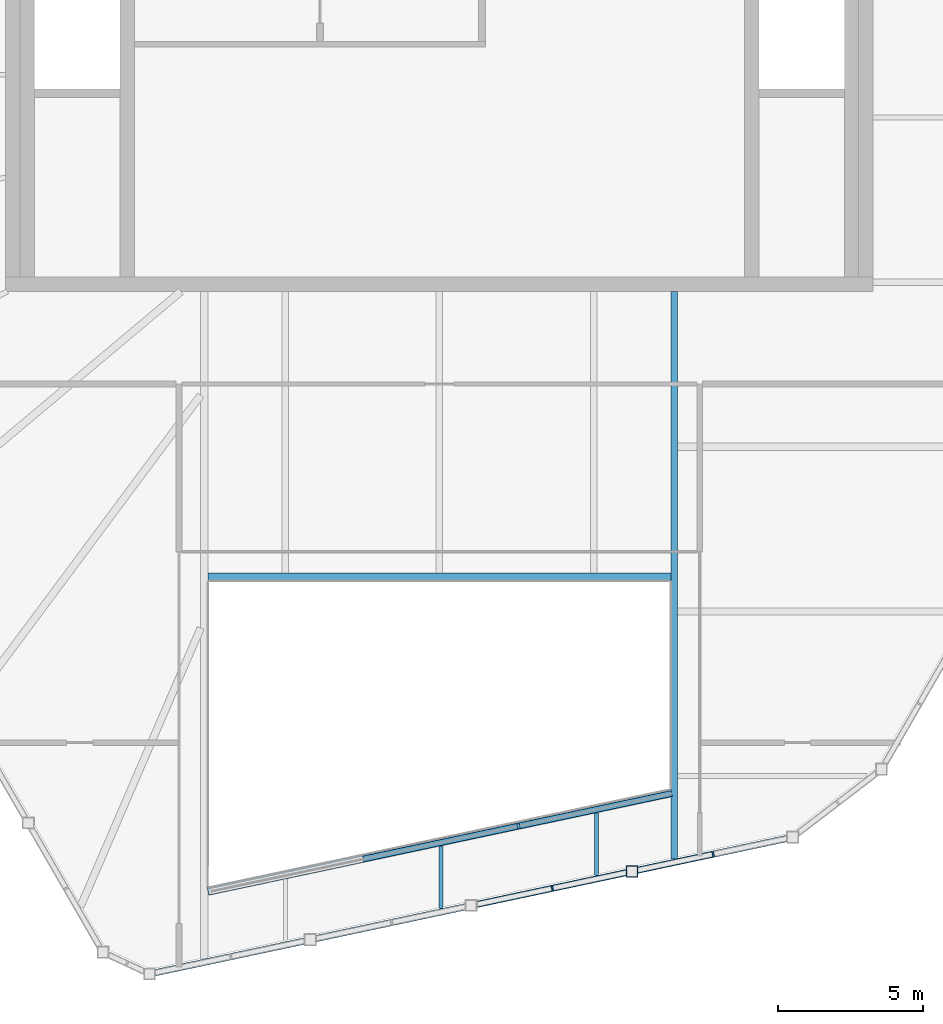
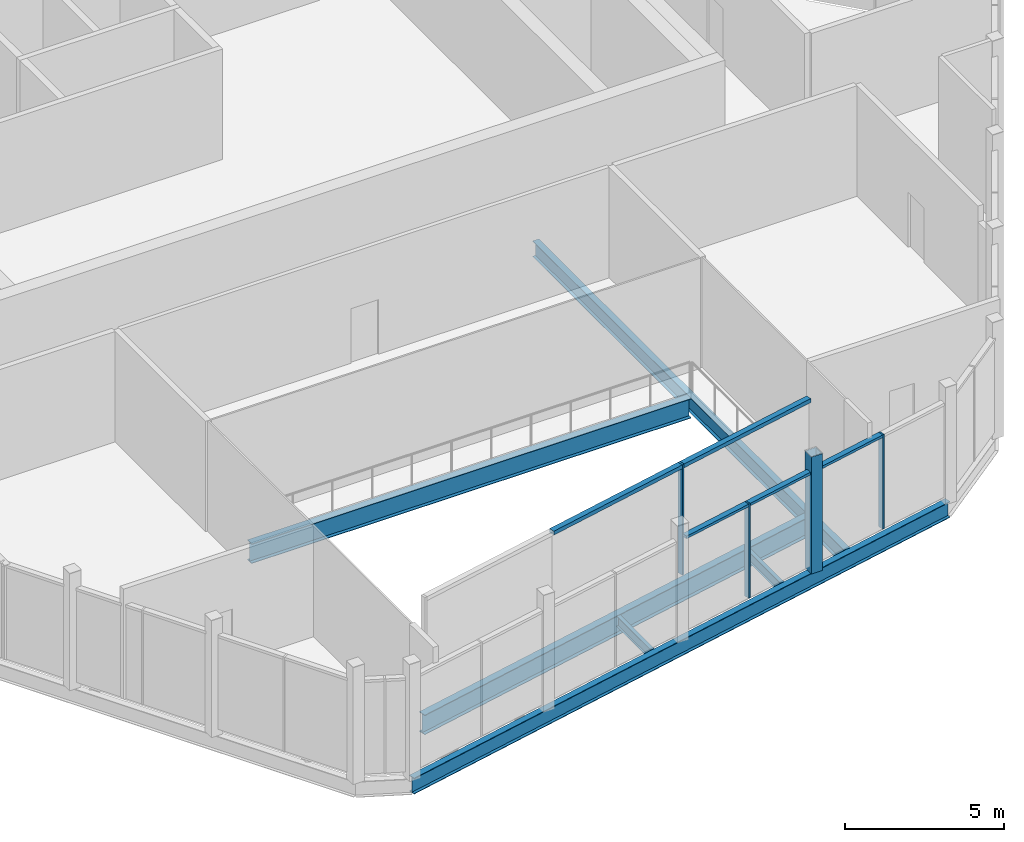
# One storey, part 2 of 10: 9 members, 6 beams, 2 elements without a shape of their own.
"""IFC4 building model written with IfcOpenShell, lengths in metres."""

from ifc_helpers import new_model, si_unit, direction, frame, origin, origin_2d, place, context, subcontext, project, spatial, rectangle, hollow_rectangle, i_section, extrude, material, layer, layer_set, material_profile, profile_set, type_object, element, aggregate, save


model = new_model("IFC4")

# Units and contexts
model_context = context("Model", 3, precision=1e-05, world=origin(), true_north=direction((0.0, 1.0)))
body_context = subcontext(model_context, "Body", "Model", "MODEL_VIEW")
ifc_project = project(units=[si_unit("LENGTHUNIT", "METRE"), si_unit("AREAUNIT", "SQUARE_METRE"), si_unit("VOLUMEUNIT", "CUBIC_METRE"), si_unit("PLANEANGLEUNIT", "RADIAN"), si_unit("MASSUNIT", "GRAM", prefix="KILO")], contexts=[model_context])

# Site, building, storey
site_placement = place(None, origin())
site = spatial("IfcSite", under=ifc_project, at=site_placement, CompositionType="ELEMENT")
building_placement = place(site_placement, origin())
building = spatial("IfcBuilding", under=site, at=building_placement, Name="Isthmus Gate Tower", CompositionType="ELEMENT")
storey_placement = place(building_placement, frame((0.0, 0.0, 311.10009765625)))
storey = spatial("IfcBuildingStorey", under=building, at=storey_placement, Name="C3", CompositionType="ELEMENT", Elevation=311.10009765625)

# Member
ifc_material_1 = material(Name="Structural steel ASTM A500 Gr C", Category="steel")
ifc_material_profile_1 = material_profile(ifc_material_1, hollow_rectangle(XDim=0.406494140625, YDim=0.406494140625, WallThickness=0.017578125, at=origin_2d()), Name="HSS16X16X3/4")
ifc_profile_set_1 = profile_set([ifc_material_profile_1], Name="Structural steel ASTM A500 Gr C")
member_type_1 = type_object("IfcMemberType", Name="CROWN POST HSS16X16X3/4", PredefinedType="POST", material=ifc_profile_set_1)
member_1_placement = place(storey_placement, frame((6.65625, -20.0517578125, -0.25), z_axis=(0.0, 0.0, 1.0), x_axis=(1.0, 0.0, 0.0)))
element("IfcMember", 1, at=member_1_placement, inside=storey, type_object=member_type_1, Name="str-crownpost-C3-19", PredefinedType="POST", context=body_context, shape_type="SweptSolid", body=[
    extrude(hollow_rectangle(XDim=0.406494140625, YDim=0.406494140625, WallThickness=0.017578125, at=origin_2d()), origin(), (0.0, 0.0, 1.0), 4.5),
])

# Beam
ifc_material_2 = material(Name="Structural steel ASTM A992 Gr 50", Category="steel")
ifc_material_profile_2 = material_profile(ifc_material_2, i_section(OverallWidth=0.231689453125, OverallDepth=0.615966796875, WebThickness=0.0126953125, FlangeThickness=0.022216796875, at=origin_2d()), Name="W24X94")
ifc_profile_set_2 = profile_set([ifc_material_profile_2], Name="Structural steel ASTM A992 Gr 50")
beam_type_1 = type_object("IfcBeamType", Name="CROWN RING BEAM W24X94", PredefinedType="BEAM", material=ifc_profile_set_2)
beam_1_placement = place(storey_placement, frame((-10.020263671875, -23.596435546875, -0.55810546875), z_axis=(0.978147166982, 0.207913731451, 0.0), x_axis=(-0.207913731451, 0.978147166982, 0.0)))
element("IfcBeam", 2, at=beam_1_placement, inside=storey, type_object=beam_type_1, Name="str-crownring-C3-06", PredefinedType="BEAM", context=body_context, shape_type="SweptSolid", body=[
    extrude(i_section(OverallWidth=0.231689453125, OverallDepth=0.615966796875, WebThickness=0.0126953125, FlangeThickness=0.022216796875, at=origin_2d()), origin(), (0.0, 0.0, 1.0), 22.732177734375),
])

# Curtain wall, members
ifc_material_3 = material(Name="Aluminium, pale champagne anodised", Category="aluminium")
ifc_layer_1 = layer(ifc_material_3, 0.199951171875)
ifc_layer_set_1 = layer_set([ifc_layer_1], Name="CW-2 LOUVRE CURTAIN WALL 200 DEEP")
curtain_wall_type_1 = type_object("IfcCurtainWallType", Name="CW-2 LOUVRE CURTAIN WALL 200 DEEP", PredefinedType="NOTDEFINED", material=ifc_layer_set_1)
curtain_wall_1_placement = place(storey_placement, origin())
curtain_wall_1 = element("IfcCurtainWall", 3, at=curtain_wall_1_placement, inside=storey, type_object=curtain_wall_type_1, Name="CW-2 E06 C3", PredefinedType="NOTDEFINED")
ifc_material_4 = material(Name="Aluminium, pale champagne anodised", Category="aluminium")
ifc_material_profile_3 = material_profile(ifc_material_4, rectangle(XDim=0.06005859375, YDim=0.199951171875, at=origin_2d()), Name="60x200")
ifc_profile_set_3 = profile_set([ifc_material_profile_3], Name="Aluminium, pale champagne anodised")
member_type_2 = type_object("IfcMemberType", Name="CW-2 MULLION 60 X 200", PredefinedType="MULLION", material=ifc_profile_set_3)
member_2_placement = place(storey_placement, frame((3.90625, -20.63623046875, 0.0), z_axis=(0.0, 0.0, 1.0), x_axis=(0.978147600734, 0.207911690818, 0.0)))
member_2 = element("IfcMember", 4, at=member_2_placement, type_object=member_type_2, Name="CW-2 mullion", PredefinedType="MULLION", context=body_context, shape_type="SweptSolid", body=[
    extrude(rectangle(XDim=0.06005859375, YDim=0.199951171875, at=origin_2d()), origin(), (0.0, 0.0, 1.0), 3.634033203125),
])
member_3_placement = place(storey_placement, frame((9.465087890625, -19.45458984375, 0.0), z_axis=(0.0, 0.0, 1.0), x_axis=(0.978147600734, 0.207911690818, 0.0)))
member_3 = element("IfcMember", 5, at=member_3_placement, type_object=member_type_2, Name="CW-2 mullion", PredefinedType="MULLION", context=body_context, shape_type="SweptSolid", body=[
    extrude(rectangle(XDim=0.06005859375, YDim=0.199951171875, at=origin_2d()), origin(), (0.0, 0.0, 1.0), 3.634033203125),
])
ifc_material_5 = material(Name="Aluminium, pale champagne anodised", Category="aluminium")
ifc_material_profile_4 = material_profile(ifc_material_5, rectangle(XDim=0.199951171875, YDim=0.10009765625, at=origin_2d()), Name="200x100")
ifc_profile_set_4 = profile_set([ifc_material_profile_4], Name="Aluminium, pale champagne anodised")
member_type_3 = type_object("IfcMemberType", Name="CW-2 TRANSOM 200 X 100", PredefinedType="USERDEFINED", material=ifc_profile_set_4)
member_4_placement = place(storey_placement, frame((1.29638671875, -21.19091796875, 3.583984375), z_axis=(0.978142384703, 0.207936228801, 0.0), x_axis=(-0.207936228801, 0.978142384703, 0.0)))
member_4 = element("IfcMember", 6, at=member_4_placement, type_object=member_type_3, Name="CW-2 transom", ObjectType="TRANSOM", PredefinedType="USERDEFINED", context=body_context, shape_type="SweptSolid", body=[
    extrude(rectangle(XDim=0.199951171875, YDim=0.10009765625, at=origin_2d()), origin(), (0.0, 0.0, 1.0), 2.63818359375),
])
member_5_placement = place(storey_placement, frame((3.935546875, -20.6298828125, 3.583984375), z_axis=(0.978161257419, 0.207847430787, 0.0), x_axis=(-0.207847430787, 0.978161257419, 0.0)))
member_5 = element("IfcMember", 7, at=member_5_placement, type_object=member_type_3, Name="CW-2 transom", ObjectType="TRANSOM", PredefinedType="USERDEFINED", context=body_context, shape_type="SweptSolid", body=[
    extrude(rectangle(XDim=0.199951171875, YDim=0.10009765625, at=origin_2d()), origin(), (0.0, 0.0, 1.0), 2.578369140625),
])
member_6_placement = place(storey_placement, frame((6.855224609375, -20.00927734375, 3.583984375), z_axis=(0.978161202779, 0.207847687932, 0.0), x_axis=(-0.207847687932, 0.978161202779, 0.0)))
member_6 = element("IfcMember", 8, at=member_6_placement, type_object=member_type_3, Name="CW-2 transom", ObjectType="TRANSOM", PredefinedType="USERDEFINED", context=body_context, shape_type="SweptSolid", body=[
    extrude(rectangle(XDim=0.199951171875, YDim=0.10009765625, at=origin_2d()), origin(), (0.0, 0.0, 1.0), 2.63818359375),
])
aggregate(curtain_wall_1, [member_4, member_2, member_5, member_6, member_3])

ifc_material_6 = material(Name="Aluminium, pale champagne anodised", Category="aluminium")
ifc_layer_2 = layer(ifc_material_6, 0.199951171875)
ifc_layer_set_2 = layer_set([ifc_layer_2], Name="CW-4 ATRIUM CURTAIN WALL 200 DEEP")
curtain_wall_type_2 = type_object("IfcCurtainWallType", Name="CW-4 ATRIUM CURTAIN WALL 200 DEEP", PredefinedType="NOTDEFINED", material=ifc_layer_set_2)
curtain_wall_2_placement = place(storey_placement, origin())
curtain_wall_2 = element("IfcCurtainWall", 9, at=curtain_wall_2_placement, inside=storey, type_object=curtain_wall_type_2, Name="CW-4 atrium south C3", PredefinedType="NOTDEFINED")
ifc_material_7 = material(Name="Aluminium, pale champagne anodised", Category="aluminium")
ifc_material_profile_5 = material_profile(ifc_material_7, rectangle(XDim=0.080078125, YDim=0.199951171875, at=origin_2d()), Name="80x200")
ifc_profile_set_5 = profile_set([ifc_material_profile_5], Name="Aluminium, pale champagne anodised")
member_type_4 = type_object("IfcMemberType", Name="CW-4 MULLION 80 X 200", PredefinedType="MULLION", material=ifc_profile_set_5)
member_7_placement = place(storey_placement, frame((2.737060546875, -18.482177734375, 0.0), z_axis=(0.0, 0.0, 1.0), x_axis=(0.978147600734, 0.207911690818, 0.0)))
member_7 = element("IfcMember", 10, at=member_7_placement, type_object=member_type_4, Name="CW-4 mullion", PredefinedType="MULLION", context=body_context, shape_type="SweptSolid", body=[
    extrude(rectangle(XDim=0.080078125, YDim=0.199951171875, at=origin_2d()), origin(), (0.0, 0.0, 1.0), 4.25),
])
ifc_material_8 = material(Name="Aluminium, pale champagne anodised", Category="aluminium")
ifc_material_profile_6 = material_profile(ifc_material_8, rectangle(XDim=0.199951171875, YDim=0.14990234375, at=origin_2d()), Name="200x150")
ifc_profile_set_6 = profile_set([ifc_material_profile_6], Name="Aluminium, pale champagne anodised")
member_type_5 = type_object("IfcMemberType", Name="CW-4 TRANSOM 200 X 150", PredefinedType="USERDEFINED", material=ifc_profile_set_6)
member_8_placement = place(storey_placement, frame((-2.635498046875, -19.624267578125, 4.1748046875), z_axis=(0.9781412086, 0.207941761169, 0.0), x_axis=(-0.207941761169, 0.9781412086, 0.0)))
member_8 = element("IfcMember", 11, at=member_8_placement, type_object=member_type_5, Name="CW-4 transom", ObjectType="TRANSOM", PredefinedType="USERDEFINED", context=body_context, shape_type="SweptSolid", body=[
    extrude(rectangle(XDim=0.199951171875, YDim=0.14990234375, at=origin_2d()), origin(), (0.0, 0.0, 1.0), 5.452392578125),
])
member_9_placement = place(storey_placement, frame((2.776123046875, -18.473876953125, 4.1748046875), z_axis=(0.978150188204, 0.207899517354, 0.0), x_axis=(-0.207899517354, 0.978150188204, 0.0)))
member_9 = element("IfcMember", 12, at=member_9_placement, type_object=member_type_5, Name="CW-4 transom", ObjectType="TRANSOM", PredefinedType="USERDEFINED", context=body_context, shape_type="SweptSolid", body=[
    extrude(rectangle(XDim=0.199951171875, YDim=0.14990234375, at=origin_2d()), origin(), (0.0, 0.0, 1.0), 5.37255859375),
])
aggregate(curtain_wall_2, [member_8, member_7, member_9])

# Beams
ifc_material_9 = material(Name="Structural steel ASTM A992 Gr 50", Category="steel")
ifc_material_profile_7 = material_profile(ifc_material_9, i_section(OverallWidth=0.1396484375, OverallDepth=0.4033203125, WebThickness=0.00634765625, FlangeThickness=0.010986328125, at=origin_2d()), Name="W16X31")
ifc_profile_set_7 = profile_set([ifc_material_profile_7], Name="Structural steel ASTM A992 Gr 50")
beam_type_2 = type_object("IfcBeamType", Name="STEEL FLOOR BEAM W16X31", PredefinedType="JOIST", material=ifc_profile_set_7)
for number, where, z_axis, x_axis, name in (
    (13, (0.05712890625, -21.3359375, -0.45166015625), (0.0, 1.0, 0.0), (-1.0, 0.0, 0.0), "str-beam-C3-01-01"),
    (14, (5.428466796875, -20.194091796875, -0.45166015625), (0.0, 1.0, 0.0), (-1.0, 0.0, 0.0), "str-beam-C3-01-02"),
):
    element("IfcBeam", number, at=place(storey_placement, frame(where, z_axis=z_axis, x_axis=x_axis)), inside=storey, type_object=beam_type_2, Name=name, PredefinedType="JOIST", context=body_context, shape_type="SweptSolid", body=[
        extrude(i_section(OverallWidth=0.1396484375, OverallDepth=0.4033203125, WebThickness=0.00634765625, FlangeThickness=0.010986328125, at=origin_2d()), origin(), (0.0, 0.0, 1.0), 2.164794921875),
    ])
ifc_material_10 = material(Name="Structural steel ASTM A992 Gr 50", Category="steel")
ifc_material_profile_8 = material_profile(ifc_material_10, i_section(OverallWidth=0.228515625, OverallDepth=0.603271484375, WebThickness=0.010986328125, FlangeThickness=0.014404296875, at=origin_2d()), Name="W24X68")
ifc_profile_set_8 = profile_set([ifc_material_profile_8], Name="Structural steel ASTM A992 Gr 50")
beam_type_3 = type_object("IfcBeamType", Name="STEEL TRIMMER W24X68", PredefinedType="BEAM", material=ifc_profile_set_8)
beam_2_placement = place(storey_placement, frame((8.1142578125, -19.623291015625, -0.5517578125), z_axis=(0.0, 1.0, 0.0), x_axis=(-1.0, 0.0, 0.0)))
element("IfcBeam", 15, at=beam_2_placement, inside=storey, type_object=beam_type_3, Name="str-trimmer-C3-01", PredefinedType="BEAM", context=body_context, shape_type="SweptSolid", body=[
    extrude(i_section(OverallWidth=0.228515625, OverallDepth=0.603271484375, WebThickness=0.010986328125, FlangeThickness=0.014404296875, at=origin_2d()), origin(), (0.0, 0.0, 1.0), 19.623291015625),
])
ifc_material_11 = material(Name="Structural steel ASTM A992 Gr 50", Category="steel")
ifc_material_profile_9 = material_profile(ifc_material_11, i_section(OverallWidth=0.2666015625, OverallDepth=0.7587890625, WebThickness=0.014404296875, FlangeThickness=0.01904296875, at=origin_2d()), Name="W30X108")
ifc_profile_set_9 = profile_set([ifc_material_profile_9], Name="Structural steel ASTM A992 Gr 50")
beam_type_4 = type_object("IfcBeamType", Name="STEEL TRIMMER W30X108", PredefinedType="BEAM", material=ifc_profile_set_9)
beam_3_placement = place(storey_placement, frame((-8.0, -20.747314453125, -0.62939453125), z_axis=(0.978147924985, 0.20791016533, 0.0), x_axis=(-0.20791016533, 0.978147924985, 0.0)))
element("IfcBeam", 16, at=beam_3_placement, inside=storey, type_object=beam_type_4, Name="str-trimmer-C3-03", PredefinedType="BEAM", context=body_context, shape_type="SweptSolid", body=[
    extrude(i_section(OverallWidth=0.2666015625, OverallDepth=0.7587890625, WebThickness=0.014404296875, FlangeThickness=0.01904296875, at=origin_2d()), origin(), (0.0, 0.0, 1.0), 16.357421875),
])
beam_4_placement = place(storey_placement, frame((8.0, -9.86669921875, -0.62939453125), z_axis=(-1.0, 0.0, 0.0), x_axis=(0.0, -1.0, 0.0)))
element("IfcBeam", 17, at=beam_4_placement, inside=storey, type_object=beam_type_4, Name="str-trimmer-C3-04", PredefinedType="BEAM", context=body_context, shape_type="SweptSolid", body=[
    extrude(i_section(OverallWidth=0.2666015625, OverallDepth=0.7587890625, WebThickness=0.014404296875, FlangeThickness=0.01904296875, at=origin_2d()), origin(), (0.0, 0.0, 1.0), 16.0),
])

save(model, "model.ifc")
